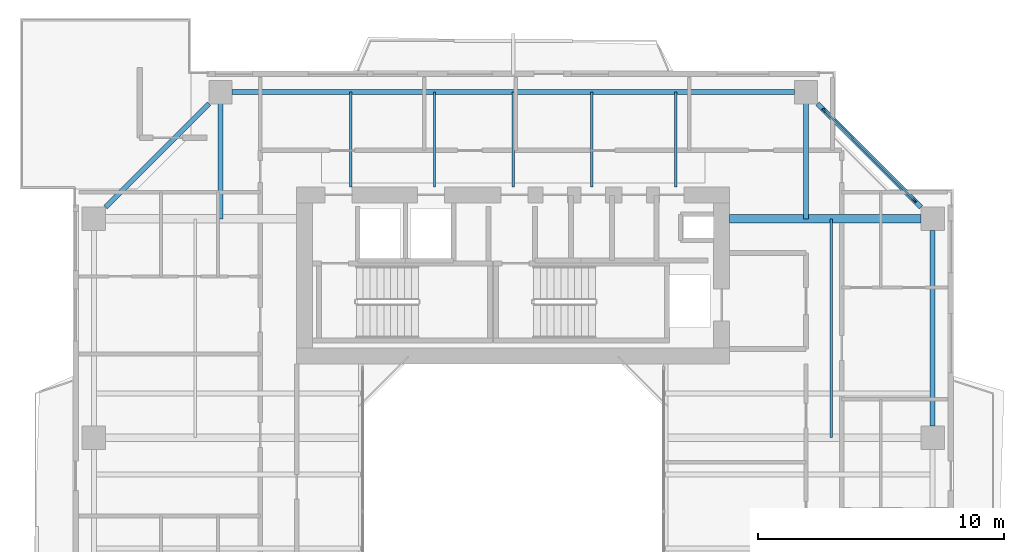
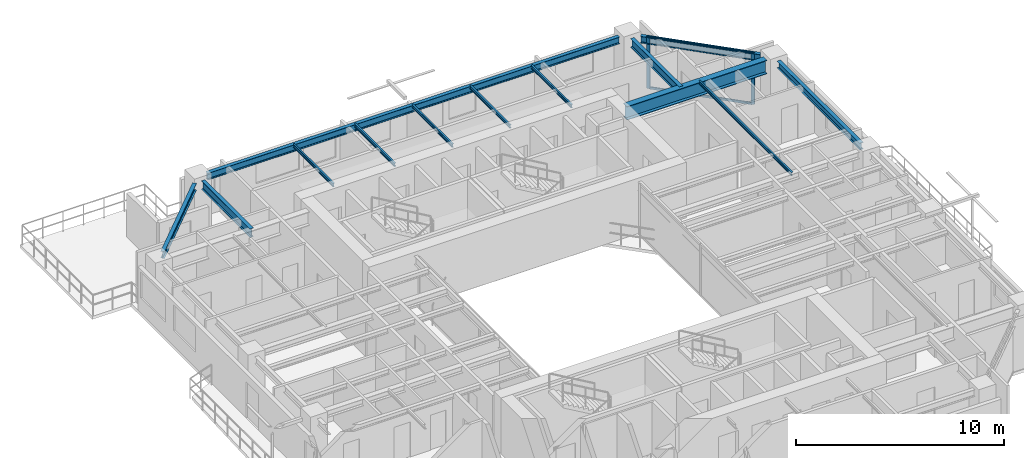
# One storey, part 8 of 18: 13 beams, 4 members, 1 element without a shape of its own.
"""IFC4 building model written with IfcOpenShell, lengths in metres."""

from ifc_helpers import new_model, si_unit, direction, frame, origin, origin_2d, place, context, subcontext, project, spatial, rectangle, i_section, extrude, source, transform, mapped, material, layer, layer_set, material_profile, profile_set, type_object, element, aggregate, save


model = new_model("IFC4")

# Units and contexts
model_context = context("Model", 3, precision=1e-05, world=origin(), true_north=direction((0.0, 1.0)))
body_context = subcontext(model_context, "Body", "Model", "MODEL_VIEW")
ifc_project = project(units=[si_unit("LENGTHUNIT", "METRE"), si_unit("AREAUNIT", "SQUARE_METRE"), si_unit("VOLUMEUNIT", "CUBIC_METRE"), si_unit("PLANEANGLEUNIT", "RADIAN"), si_unit("MASSUNIT", "GRAM", prefix="KILO"), si_unit("THERMODYNAMICTEMPERATUREUNIT", "KELVIN"), si_unit("POWERUNIT", "WATT")], contexts=[model_context])

# Site, building, storey
site_placement = place(None, origin())
site = spatial("IfcSite", under=ifc_project, at=site_placement, CompositionType="ELEMENT")
building_placement = place(site_placement, origin())
building = spatial("IfcBuilding", under=site, at=building_placement, Name="Qiaomeng Ring Towers", CompositionType="ELEMENT")
storey_placement = place(building_placement, frame((0.0, 0.0, 182.75)))
storey = spatial("IfcBuildingStorey", under=building, at=storey_placement, Name="L53", CompositionType="ELEMENT", Elevation=182.75)

# Beams
ifc_material_1 = material(Name="Steel Q355B", Category="steel")
ifc_material_profile_1 = material_profile(ifc_material_1, i_section(OverallWidth=0.10009765625, OverallDepth=0.199951171875, WebThickness=0.005615234375, FlangeThickness=0.008056640625, FilletRadius=0.010986328125, at=origin_2d()), Name="HN 200x100x5.5x8")
ifc_profile_set_1 = profile_set([ifc_material_profile_1], Name="Steel Q355B")
beam_type_1 = type_object("IfcBeamType", Name="STR-BM-HN200", PredefinedType="JOIST", material=ifc_profile_set_1)
shared_shape_1 = source(origin(), body_context, "Body", "SweptSolid", [
    extrude(i_section(OverallWidth=0.10009765625, OverallDepth=0.199951171875, WebThickness=0.005615234375, FlangeThickness=0.008056640625, FilletRadius=0.010986328125, at=origin_2d()), origin(), (0.0, 0.0, 1.0), 3.85009765625),
])
for number, where, z_axis, x_axis, name in (
    (1, (12.39990234375, 36.199951171875, 2.929931640625), (0.0, 1.0, 0.0), (-1.0, 0.0, 0.0), "L53 beam STR-JST-L53-T1N-1"),
    (2, (15.800048828125, 36.199951171875, 2.929931640625), (0.0, 1.0, 0.0), (-1.0, 0.0, 0.0), "L53 beam STR-JST-L53-T1N-2"),
    (3, (19.0, 36.199951171875, 2.929931640625), (0.0, 1.0, 0.0), (-1.0, 0.0, 0.0), "L53 beam STR-JST-L53-T1N-3"),
    (4, (22.199951171875, 36.199951171875, 2.929931640625), (0.0, 1.0, 0.0), (-1.0, 0.0, 0.0), "L53 beam STR-JST-L53-T1N-4"),
    (5, (25.60009765625, 36.199951171875, 2.929931640625), (0.0, 1.0, 0.0), (-1.0, 0.0, 0.0), "L53 beam STR-JST-L53-T1N-5"),
):
    element("IfcBeam", number, at=place(storey_placement, frame(where, z_axis=z_axis, x_axis=x_axis)), inside=storey, type_object=beam_type_1, Name=name, PredefinedType="JOIST", context=body_context, shape_type="MappedRepresentation", body=[
        mapped(shared_shape_1, transform((0.0, 0.0, 0.0), x_axis=(1.0, 0.0, 0.0), y_axis=(0.0, 1.0, 0.0), z_axis=(0.0, 0.0, 1.0), scale=1.0)),
    ])
shared_shape_2 = source(origin(), body_context, "Body", "SweptSolid", [
    extrude(i_section(OverallWidth=0.10009765625, OverallDepth=0.199951171875, WebThickness=0.005615234375, FlangeThickness=0.008056640625, FilletRadius=0.010986328125, at=origin_2d()), origin(), (0.0, 0.0, 1.0), 8.89990234375),
])
beam_1_placement = place(storey_placement, frame((31.925048828125, 26.0, 2.929931640625), z_axis=(0.0, 1.0, 0.0), x_axis=(-1.0, 0.0, 0.0)))
element("IfcBeam", 6, at=beam_1_placement, inside=storey, type_object=beam_type_1, Name="L53 beam STR-JST-L53-T1C-EN", PredefinedType="JOIST", context=body_context, shape_type="MappedRepresentation", body=[
    mapped(shared_shape_2, transform((0.0, 0.0, 0.0), x_axis=(1.0, 0.0, 0.0), y_axis=(0.0, 1.0, 0.0), z_axis=(0.0, 0.0, 1.0), scale=1.0)),
])
ifc_material_profile_2 = material_profile(ifc_material_1, i_section(OverallWidth=0.199951171875, OverallDepth=0.39990234375, WebThickness=0.008056640625, FlangeThickness=0.012939453125, FilletRadius=0.01611328125, at=origin_2d()), Name="HN 400x200x8x13")
ifc_profile_set_2 = profile_set([ifc_material_profile_2], Name="Steel Q355B")
beam_type_2 = type_object("IfcBeamType", Name="STR-BM-HN400", PredefinedType="SPANDREL", material=ifc_profile_set_2)
shared_shape_3 = source(origin(), body_context, "Body", "SweptSolid", [
    extrude(i_section(OverallWidth=0.199951171875, OverallDepth=0.39990234375, WebThickness=0.008056640625, FlangeThickness=0.012939453125, FilletRadius=0.01611328125, at=origin_2d()), origin(), (0.0, 0.0, 1.0), 22.85205078125),
])
beam_2_placement = place(storey_placement, frame((30.426025390625, 40.050048828125, 2.830078125), z_axis=(-1.0, 0.0, 0.0), x_axis=(0.0, -1.0, 0.0)))
element("IfcBeam", 7, at=beam_2_placement, inside=storey, type_object=beam_type_2, Name="L53 beam STR-SP-L53-T1-N2-N1", PredefinedType="SPANDREL", context=body_context, shape_type="MappedRepresentation", body=[
    mapped(shared_shape_3, transform((0.0, 0.0, 0.0), x_axis=(1.0, 0.0, 0.0), y_axis=(0.0, 1.0, 0.0), z_axis=(0.0, 0.0, 1.0), scale=1.0)),
])
shared_shape_4 = source(origin(), body_context, "Body", "SweptSolid", [
    extrude(i_section(OverallWidth=0.199951171875, OverallDepth=0.39990234375, WebThickness=0.008056640625, FlangeThickness=0.012939453125, FilletRadius=0.01611328125, at=origin_2d()), origin(), (0.0, 0.0, 1.0), 5.941650390625),
])
for number, where, z_axis, x_axis, name in (
    (8, (35.57568359375, 35.374267578125, 2.830078125), (-0.707106781187, 0.707106781187, 0.0), (-0.707106781187, -0.707106781187, 0.0), "L53 beam STR-SP-L53-T1-E4-N2"),
    (9, (6.625732421875, 39.57568359375, 2.830078125), (-0.707106781187, -0.707106781187, 0.0), (0.707106781187, -0.707106781187, 0.0), "L53 beam STR-SP-L53-T1-N1-W4"),
):
    element("IfcBeam", number, at=place(storey_placement, frame(where, z_axis=z_axis, x_axis=x_axis)), inside=storey, type_object=beam_type_2, Name=name, PredefinedType="SPANDREL", context=body_context, shape_type="MappedRepresentation", body=[
        mapped(shared_shape_4, transform((0.0, 0.0, 0.0), x_axis=(1.0, 0.0, 0.0), y_axis=(0.0, 1.0, 0.0), z_axis=(0.0, 0.0, 1.0), scale=1.0)),
    ])
shared_shape_5 = source(origin(), body_context, "Body", "SweptSolid", [
    extrude(i_section(OverallWidth=0.199951171875, OverallDepth=0.39990234375, WebThickness=0.008056640625, FlangeThickness=0.012939453125, FilletRadius=0.01611328125, at=origin_2d()), origin(), (0.0, 0.0, 1.0), 7.951904296875),
])
beam_3_placement = place(storey_placement, frame((36.050048828125, 26.47412109375, 2.830078125), z_axis=(0.0, 1.0, 0.0), x_axis=(-1.0, 0.0, 0.0)))
element("IfcBeam", 10, at=beam_3_placement, inside=storey, type_object=beam_type_2, Name="L53 beam STR-SP-L53-T1-E3-E4", PredefinedType="SPANDREL", context=body_context, shape_type="MappedRepresentation", body=[
    mapped(shared_shape_5, transform((0.0, 0.0, 0.0), x_axis=(1.0, 0.0, 0.0), y_axis=(0.0, 1.0, 0.0), z_axis=(0.0, 0.0, 1.0), scale=1.0)),
])
ifc_material_2 = material(Name="Steel Q390GJC", Category="steel")
ifc_material_profile_3 = material_profile(ifc_material_2, i_section(OverallWidth=0.35009765625, OverallDepth=0.800048828125, WebThickness=0.01611328125, FlangeThickness=0.028076171875, at=origin_2d()), Name="WH 800x350x16x28")
ifc_profile_set_3 = profile_set([ifc_material_profile_3], Name="Steel Q390GJC")
beam_type_3 = type_object("IfcBeamType", Name="STR-BM-WH800", PredefinedType="BEAM", material=ifc_profile_set_3)
shared_shape_6 = source(origin(), body_context, "Body", "SweptSolid", [
    extrude(i_section(OverallWidth=0.35009765625, OverallDepth=0.800048828125, WebThickness=0.01611328125, FlangeThickness=0.028076171875, at=origin_2d()), origin(), (0.0, 0.0, 1.0), 7.77587890625),
])
beam_4_placement = place(storey_placement, frame((27.800048828125, 34.89990234375, 2.6298828125), z_axis=(1.0, 0.0, 0.0), x_axis=(0.0, 1.0, 0.0)))
element("IfcBeam", 11, at=beam_4_placement, inside=storey, type_object=beam_type_3, Name="L53 beam STR-BM-L53-T1-RAD-E4", PredefinedType="BEAM", context=body_context, shape_type="MappedRepresentation", body=[
    mapped(shared_shape_6, transform((0.0, 0.0, 0.0), x_axis=(1.0, 0.0, 0.0), y_axis=(0.0, 1.0, 0.0), z_axis=(0.0, 0.0, 1.0), scale=1.0)),
])
ifc_material_profile_4 = material_profile(ifc_material_1, i_section(OverallWidth=0.199951171875, OverallDepth=0.5, WebThickness=0.010009765625, FlangeThickness=0.01611328125, FilletRadius=0.02001953125, at=origin_2d()), Name="HN 500x200x10x16")
ifc_profile_set_4 = profile_set([ifc_material_profile_4], Name="Steel Q355B")
beam_type_4 = type_object("IfcBeamType", Name="STR-BM-HN500", PredefinedType="BEAM", material=ifc_profile_set_4)
shared_shape_7 = source(origin(), body_context, "Body", "SweptSolid", [
    extrude(i_section(OverallWidth=0.199951171875, OverallDepth=0.5, WebThickness=0.010009765625, FlangeThickness=0.01611328125, FilletRadius=0.02001953125, at=origin_2d()), origin(), (0.0, 0.0, 1.0), 4.676025390625),
])
for number, where, z_axis, x_axis, name in (
    (12, (7.10009765625, 39.575927734375, 2.780029296875), (0.0, -1.0, 0.0), (1.0, 0.0, 0.0), "L53 beam STR-BM-L53-T1-RAD-N1"),
    (13, (30.89990234375, 39.575927734375, 2.780029296875), (0.0, -1.0, 0.0), (1.0, 0.0, 0.0), "L53 beam STR-BM-L53-T1-RAD-N2"),
):
    element("IfcBeam", number, at=place(storey_placement, frame(where, z_axis=z_axis, x_axis=x_axis)), inside=storey, type_object=beam_type_4, Name=name, PredefinedType="BEAM", context=body_context, shape_type="MappedRepresentation", body=[
        mapped(shared_shape_7, transform((0.0, 0.0, 0.0), x_axis=(1.0, 0.0, 0.0), y_axis=(0.0, 1.0, 0.0), z_axis=(0.0, 0.0, 1.0), scale=1.0)),
    ])

# Curtain wall, members
ifc_material_3 = material(Name="Fluorocarbon dark-grey aluminium", Category="aluminium")
ifc_layer = layer(ifc_material_3, 0.14990234375, Name="Fluorocarbon dark-grey aluminium")
ifc_layer_set = layer_set([ifc_layer], Name="Fluorocarbon dark-grey aluminium")
curtain_wall_type = type_object("IfcCurtainWallType", Name="ARC-CW-3", PredefinedType="NOTDEFINED", material=ifc_layer_set)
curtain_wall_placement = place(storey_placement, origin())
curtain_wall = element("IfcCurtainWall", 14, at=curtain_wall_placement, inside=storey, type_object=curtain_wall_type, Name="L53 Curtain Wall CW3", PredefinedType="NOTDEFINED")
ifc_material_profile_5 = material_profile(ifc_material_3, rectangle(XDim=0.070068359375, YDim=0.179931640625, at=origin_2d()), Name="ALU MULL 70x180")
ifc_profile_set_5 = profile_set([ifc_material_profile_5], Name="Fluorocarbon dark-grey aluminium")
member_type_1 = type_object("IfcMemberType", Name="ARC-CWM-160", PredefinedType="MULLION", material=ifc_profile_set_5)
shared_shape_8 = source(origin(), body_context, "Body", "SweptSolid", [
    extrude(rectangle(XDim=0.070068359375, YDim=0.179931640625, at=origin_2d()), origin(), (0.0, 0.0, 1.0), 3.030029296875),
])
member_1_placement = place(storey_placement, frame((35.310302734375, 35.6396484375, 0.0), z_axis=(0.0, 0.0, 1.0), x_axis=(-0.707106781187, -0.707106781187, 0.0)))
member_1 = element("IfcMember", 15, at=member_1_placement, type_object=member_type_1, Name="CW3 mullion 1", PredefinedType="MULLION", context=body_context, shape_type="MappedRepresentation", body=[
    mapped(shared_shape_8, transform((0.0, 0.0, 0.0), x_axis=(1.0, 0.0, 0.0), y_axis=(0.0, 1.0, 0.0), z_axis=(0.0, 0.0, 1.0), scale=1.0)),
])
member_2_placement = place(storey_placement, frame((31.6396484375, 39.310302734375, 0.0), z_axis=(0.0, 0.0, 1.0), x_axis=(-0.707106781187, -0.707106781187, 0.0)))
member_2 = element("IfcMember", 16, at=member_2_placement, type_object=member_type_1, Name="CW3 mullion 2", PredefinedType="MULLION", context=body_context, shape_type="MappedRepresentation", body=[
    mapped(shared_shape_8, transform((0.0, 0.0, 0.0), x_axis=(1.0, 0.0, 0.0), y_axis=(0.0, 1.0, 0.0), z_axis=(0.0, 0.0, 1.0), scale=1.0)),
])
ifc_material_profile_6 = material_profile(ifc_material_3, rectangle(XDim=0.06494140625, YDim=0.1298828125, at=origin_2d()), Name="ALU TRAN 65x130")
ifc_profile_set_6 = profile_set([ifc_material_profile_6], Name="Fluorocarbon dark-grey aluminium")
member_type_2 = type_object("IfcMemberType", Name="ARC-CWT-120", PredefinedType="USERDEFINED", material=ifc_profile_set_6)
shared_shape_9 = source(origin(), body_context, "Body", "SweptSolid", [
    extrude(rectangle(XDim=0.06494140625, YDim=0.1298828125, at=origin_2d()), origin(), (0.0, 0.0, 1.0), 5.12060546875),
])
member_3_placement = place(storey_placement, frame((35.285400390625, 35.66455078125, 0.032470703125), z_axis=(-0.707106781187, 0.707106781187, 0.0), x_axis=(-0.707106781187, -0.707106781187, 0.0)))
member_3 = element("IfcMember", 17, at=member_3_placement, type_object=member_type_2, Name="CW3 transom 1.1", ObjectType="TRANSOM", PredefinedType="USERDEFINED", context=body_context, shape_type="MappedRepresentation", body=[
    mapped(shared_shape_9, transform((0.0, 0.0, 0.0), x_axis=(1.0, 0.0, 0.0), y_axis=(0.0, 1.0, 0.0), z_axis=(0.0, 0.0, 1.0), scale=1.0)),
])
member_4_placement = place(storey_placement, frame((35.285400390625, 35.66455078125, 2.99755859375), z_axis=(-0.707106781187, 0.707106781187, 0.0), x_axis=(-0.707106781187, -0.707106781187, 0.0)))
member_4 = element("IfcMember", 18, at=member_4_placement, type_object=member_type_2, Name="CW3 transom 1.2", ObjectType="TRANSOM", PredefinedType="USERDEFINED", context=body_context, shape_type="MappedRepresentation", body=[
    mapped(shared_shape_9, transform((0.0, 0.0, 0.0), x_axis=(1.0, 0.0, 0.0), y_axis=(0.0, 1.0, 0.0), z_axis=(0.0, 0.0, 1.0), scale=1.0)),
])
aggregate(curtain_wall, [member_1, member_2, member_3, member_4])

save(model, "model.ifc")
